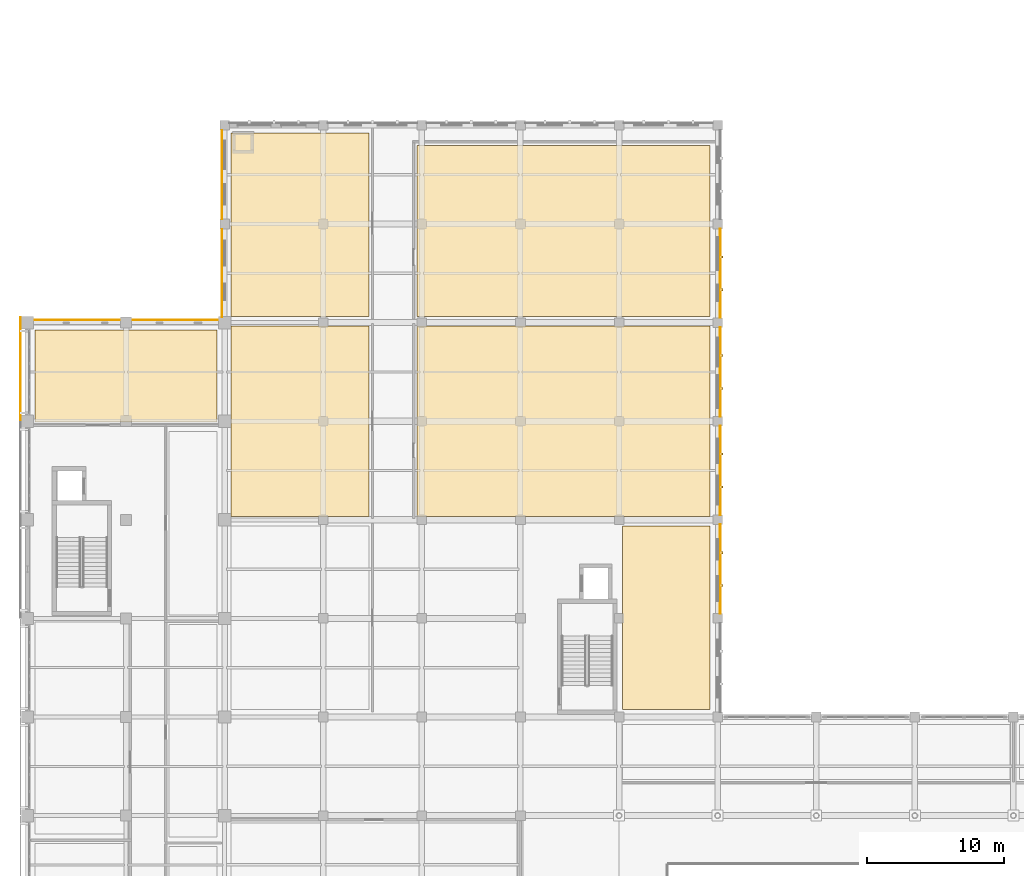
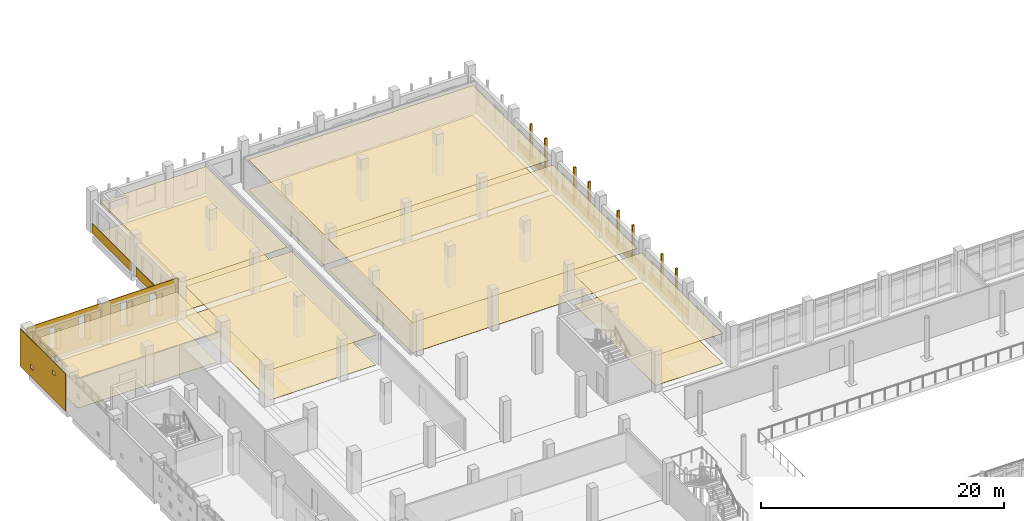
# One storey, part 58 of 62: 20 coverings, 8 shading devices.
"""IFC4 building model written with IfcOpenShell, lengths in metres."""

from ifc_helpers import new_model, si_unit, direction, frame, origin, origin_2d, place, context, subcontext, project, spatial, polyline, rectangle, outline, extrude, material, layer, layer_set, type_object, element, save


model = new_model("IFC4")

# Units and contexts
model_context = context("Model", 3, precision=1e-05, world=origin(), true_north=direction((0.0, 1.0)))
body_context = subcontext(model_context, "Body", "Model", "MODEL_VIEW")
ifc_project = project(units=[si_unit("LENGTHUNIT", "METRE"), si_unit("AREAUNIT", "SQUARE_METRE"), si_unit("VOLUMEUNIT", "CUBIC_METRE"), si_unit("PLANEANGLEUNIT", "RADIAN"), si_unit("MASSUNIT", "GRAM", prefix="KILO")], contexts=[model_context])

# Site, building, storey
site_placement = place(None, origin())
site = spatial("IfcSite", under=ifc_project, at=site_placement, CompositionType="ELEMENT")
building_placement = place(site_placement, origin())
building = spatial("IfcBuilding", under=site, at=building_placement, Name="Valkovuoma Quantum and Materials Research Institute", CompositionType="ELEMENT")
storey_placement = place(building_placement, frame((0.0, 0.0, 8.9599609375)))
storey = spatial("IfcBuildingStorey", under=building, at=storey_placement, Name="L02", CompositionType="ELEMENT", Elevation=8.9599609375)

# Coverings
ifc_material_1 = material(Name="Cleanable acoustic mineral-fibre suspended ceiling", Category="masonry")
ifc_layer_1 = layer(ifc_material_1, 0.02490234375)
ifc_layer_set_1 = layer_set([ifc_layer_1], Name="Cleanable acoustic mineral-fibre suspended ceiling")
covering_type_1 = type_object("IfcCoveringType", Name="Cov-CEIL-01", PredefinedType="CEILING", material=ifc_layer_set_1)
covering_1_placement = place(storey_placement, frame((0.0, 0.0, 3.0)))
element("IfcCovering", 1, at=covering_1_placement, inside=storey, type_object=covering_type_1, Name="L02 acoustic ceiling 0056", PredefinedType="CEILING", context=body_context, shape_type="SweptSolid", body=[
    extrude(outline(polyline([(0.550048828125, 86.35009765625), (13.85009765625, 86.35009765625), (13.85009765625, 93.050048828125), (0.550048828125, 93.050048828125), (0.550048828125, 86.35009765625)])), origin(), (0.0, 0.0, 1.0), 0.025146484375),
])
covering_2_placement = place(storey_placement, frame((0.0, 0.0, 3.0)))
element("IfcCovering", 2, at=covering_2_placement, inside=storey, type_object=covering_type_1, Name="L02 acoustic ceiling 0069", PredefinedType="CEILING", context=body_context, shape_type="SweptSolid", body=[
    extrude(outline(polyline([(14.85009765625, 79.449951171875), (24.949951171875, 79.449951171875), (24.949951171875, 93.35009765625), (14.85009765625, 93.35009765625), (14.85009765625, 79.449951171875)])), origin(), (0.0, 0.0, 1.0), 0.025146484375),
])
covering_3_placement = place(storey_placement, frame((0.0, 0.0, 3.0)))
element("IfcCovering", 3, at=covering_3_placement, inside=storey, type_object=covering_type_1, Name="L02 acoustic ceiling 0070", PredefinedType="CEILING", context=body_context, shape_type="SweptSolid", body=[
    extrude(outline(polyline([(14.85009765625, 94.050048828125), (24.949951171875, 94.050048828125), (24.949951171875, 107.449951171875), (14.85009765625, 107.449951171875), (14.85009765625, 94.050048828125)])), origin(), (0.0, 0.0, 1.0), 0.025146484375),
])
covering_4_placement = place(storey_placement, frame((0.0, 0.0, 3.0)))
element("IfcCovering", 4, at=covering_4_placement, inside=storey, type_object=covering_type_1, Name="L02 acoustic ceiling 0071", PredefinedType="CEILING", context=body_context, shape_type="SweptSolid", body=[
    extrude(outline(polyline([(28.449951171875, 79.449951171875), (49.85009765625, 79.449951171875), (49.85009765625, 93.35009765625), (28.449951171875, 93.35009765625), (28.449951171875, 79.449951171875)])), origin(), (0.0, 0.0, 1.0), 0.025146484375),
])
covering_5_placement = place(storey_placement, frame((0.0, 0.0, 3.0)))
element("IfcCovering", 5, at=covering_5_placement, inside=storey, type_object=covering_type_1, Name="L02 acoustic ceiling 0072", PredefinedType="CEILING", context=body_context, shape_type="SweptSolid", body=[
    extrude(outline(polyline([(28.449951171875, 94.050048828125), (49.85009765625, 94.050048828125), (49.85009765625, 106.550048828125), (28.449951171875, 106.550048828125), (28.449951171875, 94.050048828125)])), origin(), (0.0, 0.0, 1.0), 0.025146484375),
])
covering_6_placement = place(storey_placement, frame((0.0, 0.0, 3.0)))
element("IfcCovering", 6, at=covering_6_placement, inside=storey, type_object=covering_type_1, Name="L02 acoustic ceiling 0073", PredefinedType="CEILING", context=body_context, shape_type="SweptSolid", body=[
    extrude(outline(polyline([(43.449951171875, 65.35009765625), (49.85009765625, 65.35009765625), (49.85009765625, 78.75), (43.449951171875, 78.75), (43.449951171875, 65.35009765625)])), origin(), (0.0, 0.0, 1.0), 0.025146484375),
])
ifc_material_2 = material(Name="Seamless dissipative laboratory resin flooring", Category="masonry")
ifc_layer_2 = layer(ifc_material_2, 0.014892578125)
ifc_layer_set_2 = layer_set([ifc_layer_2], Name="Seamless dissipative laboratory resin flooring")
covering_type_2 = type_object("IfcCoveringType", Name="Cov-FLOR-01", PredefinedType="FLOORING", material=ifc_layer_set_2)
covering_7_placement = place(storey_placement, origin())
element("IfcCovering", 7, at=covering_7_placement, inside=storey, type_object=covering_type_2, Name="L02 resin flooring 0056", PredefinedType="FLOORING", context=body_context, shape_type="SweptSolid", body=[
    extrude(outline(polyline([(0.550048828125, 86.35009765625), (13.85009765625, 86.35009765625), (13.85009765625, 93.050048828125), (0.550048828125, 93.050048828125), (0.550048828125, 86.35009765625)])), origin(), (0.0, 0.0, 1.0), 0.01513671875),
])
covering_8_placement = place(storey_placement, origin())
element("IfcCovering", 8, at=covering_8_placement, inside=storey, type_object=covering_type_2, Name="L02 resin flooring 0069", PredefinedType="FLOORING", context=body_context, shape_type="SweptSolid", body=[
    extrude(outline(polyline([(14.85009765625, 79.449951171875), (24.949951171875, 79.449951171875), (24.949951171875, 93.35009765625), (14.85009765625, 93.35009765625), (14.85009765625, 79.449951171875)])), origin(), (0.0, 0.0, 1.0), 0.01513671875),
])
covering_9_placement = place(storey_placement, origin())
element("IfcCovering", 9, at=covering_9_placement, inside=storey, type_object=covering_type_2, Name="L02 resin flooring 0070", PredefinedType="FLOORING", context=body_context, shape_type="SweptSolid", body=[
    extrude(outline(polyline([(14.85009765625, 94.050048828125), (24.949951171875, 94.050048828125), (24.949951171875, 107.449951171875), (14.85009765625, 107.449951171875), (14.85009765625, 94.050048828125)])), origin(), (0.0, 0.0, 1.0), 0.01513671875),
])
covering_10_placement = place(storey_placement, origin())
element("IfcCovering", 10, at=covering_10_placement, inside=storey, type_object=covering_type_2, Name="L02 resin flooring 0071", PredefinedType="FLOORING", context=body_context, shape_type="SweptSolid", body=[
    extrude(outline(polyline([(28.449951171875, 79.449951171875), (49.85009765625, 79.449951171875), (49.85009765625, 93.35009765625), (28.449951171875, 93.35009765625), (28.449951171875, 79.449951171875)])), origin(), (0.0, 0.0, 1.0), 0.01513671875),
])
covering_11_placement = place(storey_placement, origin())
element("IfcCovering", 11, at=covering_11_placement, inside=storey, type_object=covering_type_2, Name="L02 resin flooring 0072", PredefinedType="FLOORING", context=body_context, shape_type="SweptSolid", body=[
    extrude(outline(polyline([(28.449951171875, 94.050048828125), (49.85009765625, 94.050048828125), (49.85009765625, 106.550048828125), (28.449951171875, 106.550048828125), (28.449951171875, 94.050048828125)])), origin(), (0.0, 0.0, 1.0), 0.01513671875),
])
covering_12_placement = place(storey_placement, origin())
element("IfcCovering", 12, at=covering_12_placement, inside=storey, type_object=covering_type_2, Name="L02 resin flooring 0073", PredefinedType="FLOORING", context=body_context, shape_type="SweptSolid", body=[
    extrude(outline(polyline([(43.449951171875, 65.35009765625), (49.85009765625, 65.35009765625), (49.85009765625, 78.75), (43.449951171875, 78.75), (43.449951171875, 65.35009765625)])), origin(), (0.0, 0.0, 1.0), 0.01513671875),
])
ifc_material_3 = material(Name="White powder-coated aluminium architectural panel", Category="aluminium")
ifc_layer_3 = layer(ifc_material_3, 0.054931640625)
ifc_layer_set_3 = layer_set([ifc_layer_3], Name="White powder-coated aluminium architectural panel")
covering_type_3 = type_object("IfcCoveringType", Name="Cov-PERF-SPARSE", PredefinedType="CLADDING", material=ifc_layer_set_3)
covering_13_placement = place(storey_placement, frame((-0.52001953125, 86.4599609375, 0.02001953125), z_axis=(0.0, 0.0, 1.0), x_axis=(0.0, 1.0, 0.0)))
element("IfcCovering", 13, at=covering_13_placement, inside=storey, type_object=covering_type_3, Name="L02 graduated perforated white screen W-0024", PredefinedType="CLADDING", context=body_context, shape_type="SweptSolid", body=[
    extrude(outline(polyline([(0.0, 0.0), (7.52001953125, 0.0), (7.52001953125, 3.77001953125), (0.0, 3.77001953125), (0.0, 0.0)]), holes=[polyline([(1.7451171875, 2.467529296875), (1.7451171875, 2.867431640625), (2.14501953125, 2.867431640625), (2.14501953125, 2.467529296875), (1.7451171875, 2.467529296875)]), polyline([(5.375, 0.8525390625), (5.375, 1.25244140625), (5.77490234375, 1.25244140625), (5.77490234375, 0.8525390625), (5.375, 0.8525390625)])]), frame((0.0, 0.02734375, 0.0), z_axis=(0.0, -1.0, 0.0), x_axis=(1.0, 0.0, 0.0)), (0.0, 0.0, 1.0), 0.054931640625),
])
ifc_material_4 = material(Name="Thermally modified Nordic pine timber rainscreen cladding", Category="wood")
ifc_layer_4 = layer(ifc_material_4, 0.044921875)
ifc_layer_set_4 = layer_set([ifc_layer_4], Name="Thermally modified Nordic pine timber rainscreen cladding")
covering_type_4 = type_object("IfcCoveringType", Name="Cov-TIMB-01", PredefinedType="CLADDING", material=ifc_layer_set_4)
for number, where, z_axis, x_axis, name in (
    (14, (50.590087890625, 75.60009765625, 0.02001953125), (0.0, 0.0, 1.0), (1.0, 0.0, 0.0), "L02 Nordic pine spandrel E-031"),
    (15, (50.590087890625, 82.800048828125, 0.02001953125), (0.0, 0.0, 1.0), (1.0, 0.0, 0.0), "L02 Nordic pine spandrel E-032"),
    (16, (50.590087890625, 90.0, 0.02001953125), (0.0, 0.0, 1.0), (1.0, 0.0, 0.0), "L02 Nordic pine spandrel E-033"),
    (17, (50.590087890625, 97.199951171875, 0.02001953125), (0.0, 0.0, 1.0), (1.0, 0.0, 0.0), "L02 Nordic pine spandrel E-034"),
):
    element("IfcCovering", number, at=place(storey_placement, frame(where, z_axis=z_axis, x_axis=x_axis)), inside=storey, type_object=covering_type_4, Name=name, PredefinedType="CLADDING", context=body_context, shape_type="SweptSolid", body=[
        extrude(rectangle(XDim=0.044921875, YDim=6.52001953125, at=origin_2d()), origin(), (0.0, 0.0, 1.0), 0.919921875),
    ])
covering_14_placement = place(storey_placement, frame((14.2099609375, 97.199951171875, 0.02001953125), z_axis=(0.0, 0.0, 1.0), x_axis=(1.0, 0.0, 0.0)))
element("IfcCovering", 18, at=covering_14_placement, inside=storey, type_object=covering_type_4, Name="L02 Nordic pine spandrel W-036", PredefinedType="CLADDING", context=body_context, shape_type="SweptSolid", body=[
    extrude(rectangle(XDim=0.044921875, YDim=6.419921875, at=origin_2d()), origin(), (0.0, 0.0, 1.0), 0.919921875),
])
covering_15_placement = place(storey_placement, frame((14.2099609375, 104.39990234375, 0.02001953125), z_axis=(0.0, 0.0, 1.0), x_axis=(1.0, 0.0, 0.0)))
element("IfcCovering", 19, at=covering_15_placement, inside=storey, type_object=covering_type_4, Name="L02 Nordic pine spandrel W-037", PredefinedType="CLADDING", context=body_context, shape_type="SweptSolid", body=[
    extrude(rectangle(XDim=0.044921875, YDim=6.52001953125, at=origin_2d()), origin(), (0.0, 0.0, 1.0), 0.919921875),
])
ifc_material_5 = material(Name="White powder-coated aluminium architectural panel", Category="aluminium")
ifc_layer_5 = layer(ifc_material_5, 0.054931640625)
ifc_layer_set_5 = layer_set([ifc_layer_5], Name="White powder-coated aluminium architectural panel")
covering_type_5 = type_object("IfcCoveringType", Name="Cov-WHITE-01", PredefinedType="CLADDING", material=ifc_layer_set_5)
covering_16_placement = place(storey_placement, frame((0.0, 93.78759765625, 0.0), z_axis=(0.0, 0.0, 1.0), x_axis=(1.0, 0.0, 0.0)))
element("IfcCovering", 20, at=covering_16_placement, inside=storey, type_object=covering_type_5, Name="L02 north white slot-window end skin", PredefinedType="CLADDING", context=body_context, shape_type="SweptSolid", body=[
    extrude(outline(polyline([(0.0, 0.0), (14.39990234375, 0.0), (14.39990234375, 3.81005859375), (0.0, 3.81005859375), (0.0, 0.0)]), holes=[polyline([(2.155029296875, 0.830078125), (2.155029296875, 2.969970703125), (2.64501953125, 2.969970703125), (2.64501953125, 0.830078125), (2.155029296875, 0.830078125)]), polyline([(4.955078125, 0.830078125), (4.955078125, 3.27001953125), (5.445068359375, 3.27001953125), (5.445068359375, 0.830078125), (4.955078125, 0.830078125)]), polyline([(8.929931640625, 0.830078125), (8.929931640625, 3.27001953125), (9.469970703125, 3.27001953125), (9.469970703125, 0.830078125), (8.929931640625, 0.830078125)]), polyline([(11.705078125, 0.830078125), (11.705078125, 3.070068359375), (12.294921875, 3.070068359375), (12.294921875, 0.830078125), (11.705078125, 0.830078125)])]), frame((0.0, 0.02734375, 0.0), z_axis=(0.0, -1.0, 0.0), x_axis=(1.0, 0.0, 0.0)), (0.0, 0.0, 1.0), 0.054931640625),
])

# Shading devices
ifc_material_6 = material(Name="Powder-coated white perforated architectural aluminium panel", Category="aluminium")
ifc_layer_6 = layer(ifc_material_6, 0.050048828125)
ifc_layer_set_6 = layer_set([ifc_layer_6], Name="Powder-coated white perforated architectural aluminium panel")
shading_device_type = type_object("IfcShadingDeviceType", Name="Screen-SCR-MID", PredefinedType="JALOUSIE", material=ifc_layer_set_6)
for number, where, z_axis, x_axis, name in (
    (21, (50.669921875, 74.39990234375, 0.0), (0.0, 0.0, 1.0), (1.0, 0.0, 0.0), "L02 cleanroom facade vertical fin E-0070"),
    (22, (50.669921875, 76.800048828125, 0.0), (0.0, 0.0, 1.0), (1.0, 0.0, 0.0), "L02 cleanroom facade vertical fin E-0071"),
    (23, (50.669921875, 81.60009765625, 0.0), (0.0, 0.0, 1.0), (1.0, 0.0, 0.0), "L02 cleanroom facade vertical fin E-0072"),
    (24, (50.669921875, 84.0, 0.0), (0.0, 0.0, 1.0), (1.0, 0.0, 0.0), "L02 cleanroom facade vertical fin E-0073"),
    (25, (50.669921875, 88.800048828125, 0.0), (0.0, 0.0, 1.0), (1.0, 0.0, 0.0), "L02 cleanroom facade vertical fin E-0074"),
    (26, (50.669921875, 91.199951171875, 0.0), (0.0, 0.0, 1.0), (1.0, 0.0, 0.0), "L02 cleanroom facade vertical fin E-0075"),
    (27, (50.669921875, 96.0, 0.0), (0.0, 0.0, 1.0), (1.0, 0.0, 0.0), "L02 cleanroom facade vertical fin E-0076"),
    (28, (50.669921875, 98.39990234375, 0.0), (0.0, 0.0, 1.0), (1.0, 0.0, 0.0), "L02 cleanroom facade vertical fin E-0077"),
):
    element("IfcShadingDevice", number, at=place(storey_placement, frame(where, z_axis=z_axis, x_axis=x_axis)), inside=storey, type_object=shading_device_type, Name=name, PredefinedType="JALOUSIE", context=body_context, shape_type="SweptSolid", body=[
        extrude(rectangle(XDim=0.219970703125, YDim=0.159912109375, at=origin_2d()), origin(), (0.0, 0.0, 1.0), 3.81005859375),
    ])

save(model, "model.ifc")
